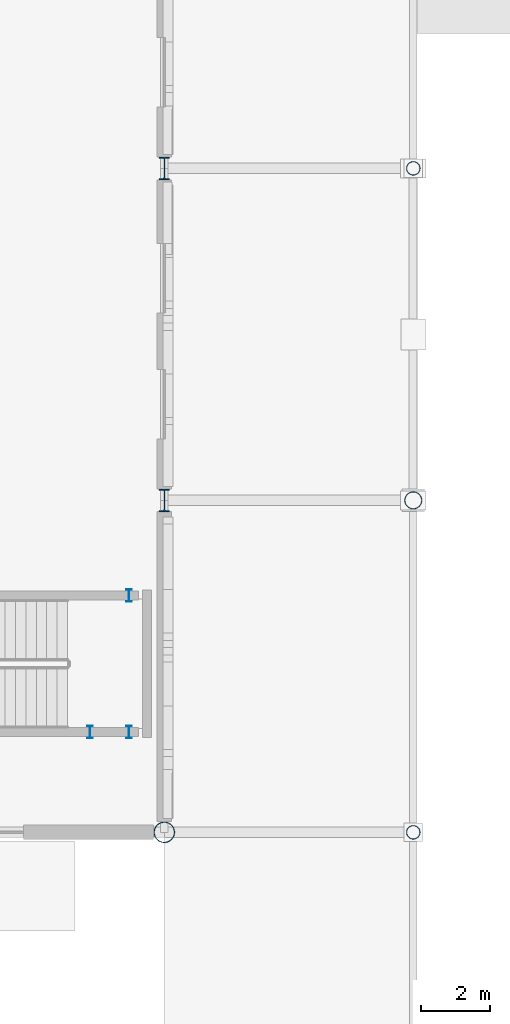
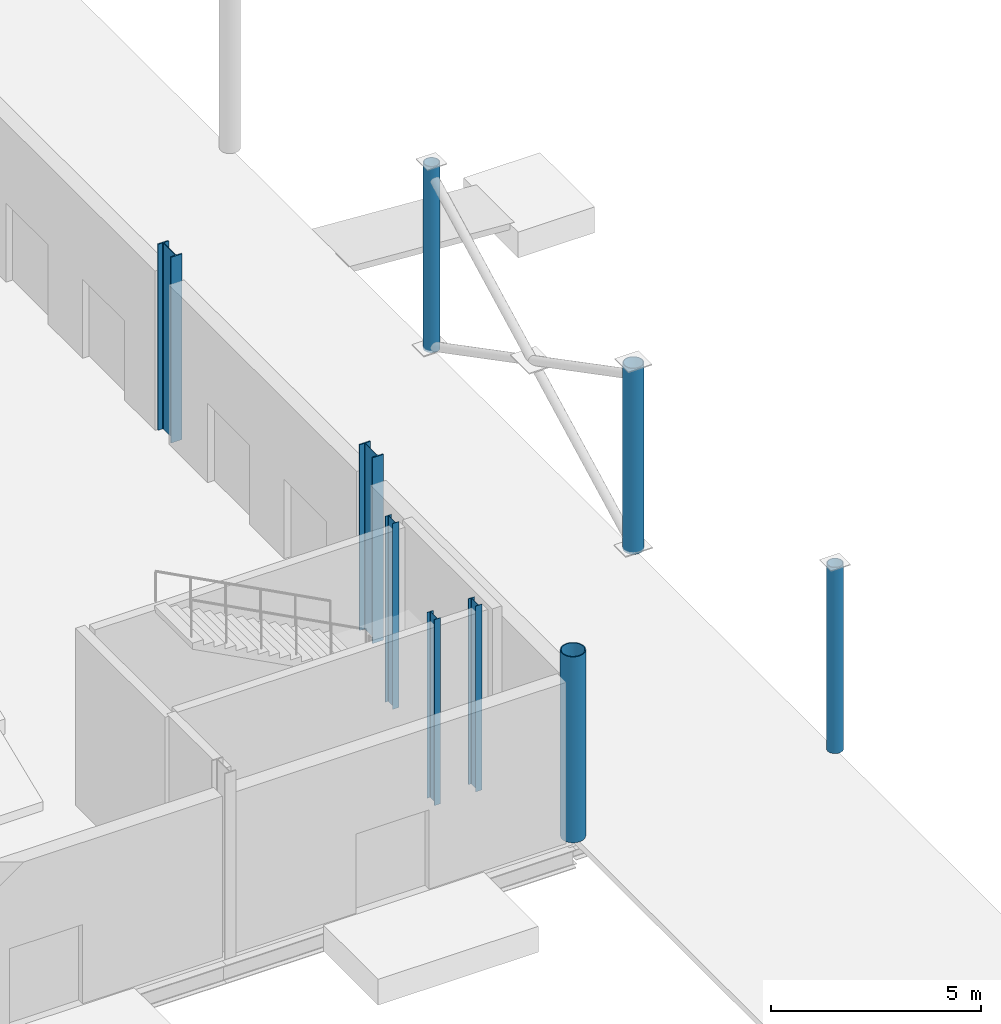
# One storey, part 25 of 84: 9 columns.
"""IFC4 building model written with IfcOpenShell, lengths in metres."""

from ifc_helpers import new_model, si_unit, direction, frame, origin, origin_2d, place, context, subcontext, project, spatial, hollow_circle, i_section, extrude, material, material_profile, profile_set, type_object, element, save


model = new_model("IFC4")

# Units and contexts
model_context = context("Model", 3, precision=1e-05, world=origin(), true_north=direction((0.0, 1.0)))
body_context = subcontext(model_context, "Body", "Model", "MODEL_VIEW")
ifc_project = project(units=[si_unit("LENGTHUNIT", "METRE"), si_unit("AREAUNIT", "SQUARE_METRE"), si_unit("VOLUMEUNIT", "CUBIC_METRE"), si_unit("PLANEANGLEUNIT", "RADIAN"), si_unit("MASSUNIT", "GRAM", prefix="KILO")], contexts=[model_context])

# Site, building, storey
site_placement = place(None, origin())
site = spatial("IfcSite", under=ifc_project, at=site_placement, CompositionType="ELEMENT")
building_placement = place(site_placement, origin())
building = spatial("IfcBuilding", under=site, at=building_placement, Name="Zevrakil Square Congress Hotel", CompositionType="ELEMENT")
storey_placement = place(building_placement, origin())
storey = spatial("IfcBuildingStorey", under=building, at=storey_placement, Name="L01", CompositionType="ELEMENT", Elevation=0.0)

# Columns
ifc_material_1 = material(Name="Steel S355", Category="steel")
ifc_material_profile_1 = material_profile(ifc_material_1, hollow_circle(Radius=0.203125, WallThickness=0.02001953125, at=origin_2d()), Name="CHS 406.4x20")
ifc_profile_set_1 = profile_set([ifc_material_profile_1], Name="Steel S355")
column_type_1 = type_object("IfcColumnType", Name="COL-CHS406", PredefinedType="COLUMN", material=ifc_profile_set_1)
for number, where, z_axis, x_axis, name in (
    (1, (172.800048828125, 64.800048828125, 0.0), (0.0, 0.0, 1.0), (1.0, 0.0, 0.0), "L01 column C-249"),
    (2, (172.800048828125, 84.0, 0.0), (0.0, 0.0, 1.0), (1.0, 0.0, 0.0), "L01 column C-251"),
):
    element("IfcColumn", number, at=place(storey_placement, frame(where, z_axis=z_axis, x_axis=x_axis)), inside=storey, type_object=column_type_1, Name=name, PredefinedType="COLUMN", context=body_context, shape_type="SweptSolid", body=[
        extrude(hollow_circle(Radius=0.203125, WallThickness=0.02001953125, at=origin_2d()), origin(), (0.0, 0.0, 1.0), 5.39990234375),
    ])
ifc_material_2 = material(Name="Steel S355", Category="steel")
ifc_material_profile_2 = material_profile(ifc_material_2, hollow_circle(Radius=0.25390625, WallThickness=0.02001953125, at=origin_2d()), Name="CHS 508x20")
ifc_profile_set_2 = profile_set([ifc_material_profile_2], Name="Steel S355")
column_type_2 = type_object("IfcColumnType", Name="COL-CHS508", PredefinedType="COLUMN", material=ifc_profile_set_2)
column_1_placement = place(storey_placement, frame((172.800048828125, 74.39990234375, 0.0), z_axis=(0.0, 0.0, 1.0), x_axis=(1.0, 0.0, 0.0)))
element("IfcColumn", 3, at=column_1_placement, inside=storey, type_object=column_type_2, Name="L01 column C-250", PredefinedType="COLUMN", context=body_context, shape_type="SweptSolid", body=[
    extrude(hollow_circle(Radius=0.25390625, WallThickness=0.02001953125, at=origin_2d()), origin(), (0.0, 0.0, 1.0), 5.39990234375),
])
ifc_material_3 = material(Name="Steel S355", Category="steel")
ifc_material_profile_3 = material_profile(ifc_material_3, hollow_circle(Radius=0.304931640625, WallThickness=0.02490234375, at=origin_2d()), Name="CHS 610x25")
ifc_profile_set_3 = profile_set([ifc_material_profile_3], Name="Steel S355")
column_type_3 = type_object("IfcColumnType", Name="COL-CHS610", PredefinedType="COLUMN", material=ifc_profile_set_3)
column_2_placement = place(storey_placement, frame((165.60009765625, 64.800048828125, 0.0), z_axis=(0.0, 0.0, 1.0), x_axis=(1.0, 0.0, 0.0)))
element("IfcColumn", 4, at=column_2_placement, inside=storey, type_object=column_type_3, Name="L01 column C-235", PredefinedType="COLUMN", context=body_context, shape_type="SweptSolid", body=[
    extrude(hollow_circle(Radius=0.304931640625, WallThickness=0.02490234375, at=origin_2d()), origin(), (0.0, 0.0, 1.0), 5.39990234375),
])
ifc_material_4 = material(Name="Steel S355", Category="steel")
ifc_material_profile_4 = material_profile(ifc_material_4, i_section(OverallWidth=0.300048828125, OverallDepth=0.64990234375, WebThickness=0.01611328125, FlangeThickness=0.031005859375, FilletRadius=0.027099609375, at=origin_2d()), Name="HEB 650")
ifc_profile_set_4 = profile_set([ifc_material_profile_4], Name="Steel S355")
column_type_4 = type_object("IfcColumnType", Name="COL-HEB650", PredefinedType="COLUMN", material=ifc_profile_set_4)
for number, where, z_axis, x_axis, name in (
    (5, (165.60009765625, 74.39990234375, 0.0), (0.0, 0.0, 1.0), (1.0, 0.0, 0.0), "L01 column C-236"),
    (6, (165.60009765625, 84.0, 0.0), (0.0, 0.0, 1.0), (1.0, 0.0, 0.0), "L01 column C-237"),
):
    element("IfcColumn", number, at=place(storey_placement, frame(where, z_axis=z_axis, x_axis=x_axis)), inside=storey, type_object=column_type_4, Name=name, PredefinedType="COLUMN", context=body_context, shape_type="SweptSolid", body=[
        extrude(i_section(OverallWidth=0.300048828125, OverallDepth=0.64990234375, WebThickness=0.01611328125, FlangeThickness=0.031005859375, FilletRadius=0.027099609375, at=origin_2d()), origin(), (0.0, 0.0, 1.0), 5.39990234375),
    ])
ifc_material_5 = material(Name="Steel S355", Category="steel")
ifc_material_profile_5 = material_profile(ifc_material_5, i_section(OverallWidth=0.169921875, OverallDepth=0.360107421875, WebThickness=0.008056640625, FlangeThickness=0.0126953125, FilletRadius=0.01806640625, at=origin_2d()), Name="IPE 360")
ifc_profile_set_5 = profile_set([ifc_material_profile_5], Name="Steel S355")
column_type_5 = type_object("IfcColumnType", Name="COL-PILASTER-SHS180", PredefinedType="PILASTER", material=ifc_profile_set_5)
for number, where, z_axis, x_axis, name in (
    (7, (163.449951171875, 67.699951171875, 0.0), (0.0, 0.0, 1.0), (1.0, 0.0, 0.0), "L01 ST09 stair shaft post 1"),
    (8, (164.580078125, 67.699951171875, 0.0), (0.0, 0.0, 1.0), (1.0, 0.0, 0.0), "L01 ST09 stair shaft post 2"),
    (9, (164.580078125, 71.64990234375, 0.0), (0.0, 0.0, 1.0), (1.0, 0.0, 0.0), "L01 ST09 stair shaft post 3"),
):
    element("IfcColumn", number, at=place(storey_placement, frame(where, z_axis=z_axis, x_axis=x_axis)), inside=storey, type_object=column_type_5, Name=name, PredefinedType="PILASTER", context=body_context, shape_type="SweptSolid", body=[
        extrude(i_section(OverallWidth=0.169921875, OverallDepth=0.360107421875, WebThickness=0.008056640625, FlangeThickness=0.0126953125, FilletRadius=0.01806640625, at=origin_2d()), origin(), (0.0, 0.0, 1.0), 5.39990234375),
    ])

save(model, "model.ifc")
